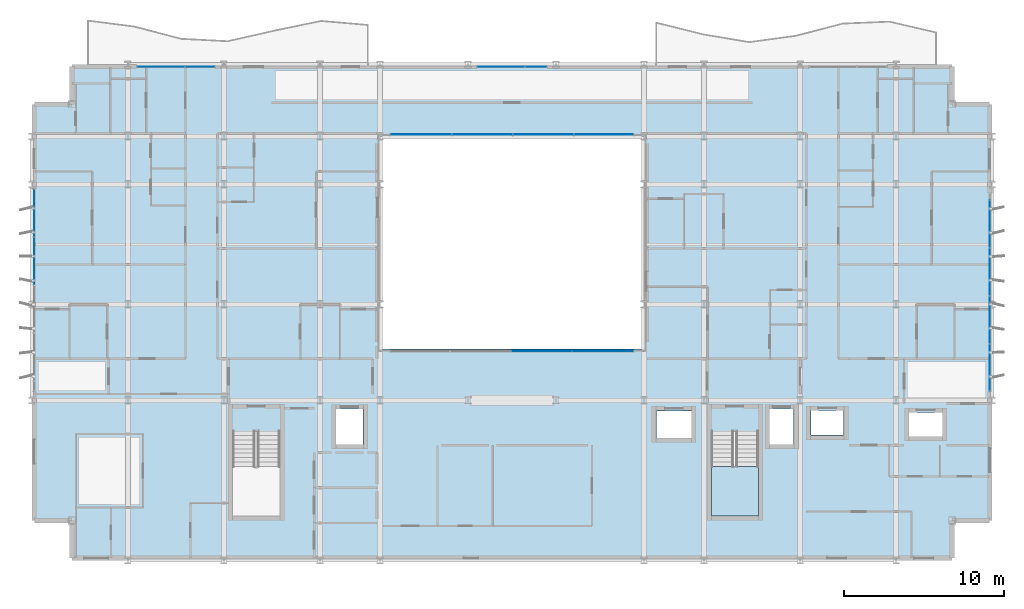
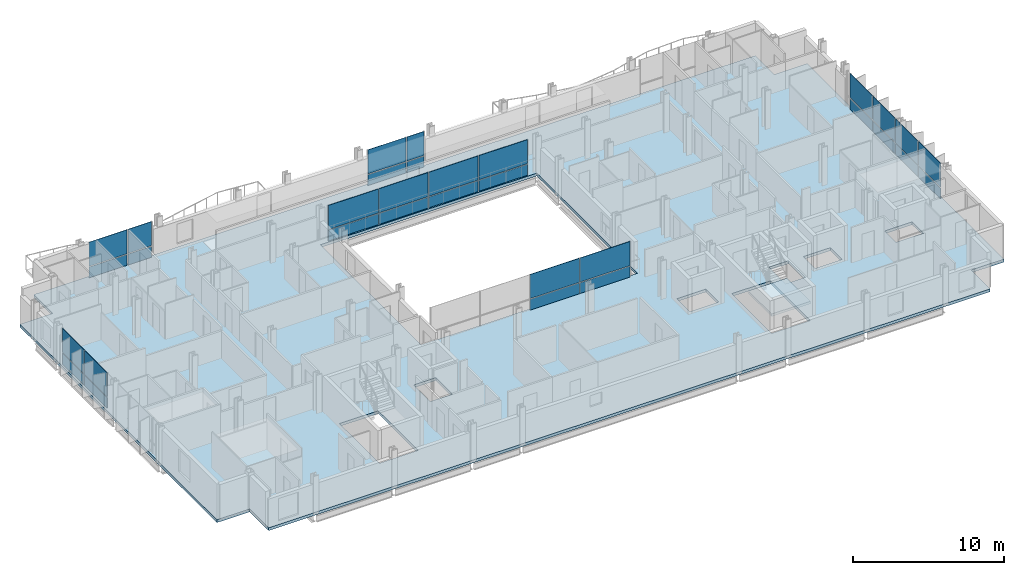
# One storey, part 23 of 38: 32 plates, 2 slabs, 7 elements without a shape of their own.
"""IFC4 building model written with IfcOpenShell, lengths in metres."""

from ifc_helpers import new_model, si_unit, direction, frame, origin, origin_2d, place, context, subcontext, project, spatial, polyline, rectangle, outline, extrude, material, layer, layer_set, type_object, element, aggregate, save


model = new_model("IFC4")

# Units and contexts
model_context = context("Model", 3, precision=1e-05, world=origin(), true_north=direction((0.0, 1.0)))
body_context = subcontext(model_context, "Body", "Model", "MODEL_VIEW")
ifc_project = project(units=[si_unit("LENGTHUNIT", "METRE"), si_unit("AREAUNIT", "SQUARE_METRE"), si_unit("VOLUMEUNIT", "CUBIC_METRE"), si_unit("PLANEANGLEUNIT", "RADIAN"), si_unit("MASSUNIT", "GRAM", prefix="KILO")], contexts=[model_context])

# Site, building, storey
site_placement = place(None, origin())
site = spatial("IfcSite", under=ifc_project, at=site_placement, CompositionType="ELEMENT")
building_placement = place(site_placement, origin())
building = spatial("IfcBuilding", under=site, at=building_placement, Name="Brevholm Reach", CompositionType="ELEMENT")
storey_placement = place(building_placement, frame((0.0, 0.0, 52.800048828125)))
storey = spatial("IfcBuildingStorey", under=building, at=storey_placement, Name="L14", CompositionType="ELEMENT", Elevation=52.800048828125)

# Curtain wall, plates
ifc_material_1 = material(Name="Dark Anodised Aluminium 6063-T6 and Solar-Control Glass", Category="aluminium")
ifc_layer_1 = layer(ifc_material_1, 0.14990234375)
ifc_layer_set_1 = layer_set([ifc_layer_1], Name="Dark Anodised Aluminium 6063-T6 and Solar-Control Glass")
curtain_wall_type_1 = type_object("IfcCurtainWallType", Name="CW-01", PredefinedType="NOTDEFINED", material=ifc_layer_set_1)
curtain_wall_1_placement = place(storey_placement, origin())
curtain_wall_1 = element("IfcCurtainWall", 1, at=curtain_wall_1_placement, inside=storey, type_object=curtain_wall_type_1, Name="L14 Curtain Wall CW-01", PredefinedType="NOTDEFINED")
ifc_material_2 = material(Name="Dark Solar-Control Double-Glazed IGU Glass", Category="glass")
ifc_layer_2 = layer(ifc_material_2, 0.028076171875)
ifc_layer_set_2 = layer_set([ifc_layer_2], Name="Dark Solar-Control Double-Glazed IGU Glass")
plate_type_1 = type_object("IfcPlateType", Name="CWP-GLZ-28", PredefinedType="CURTAIN_PANEL", material=ifc_layer_set_2)
plate_1_placement = place(storey_placement, frame((0.14990234375, 21.703857421875, 0.0), z_axis=(0.0, 0.0, 1.0), x_axis=(0.0, -1.0, 0.0)))
plate_1 = element("IfcPlate", 2, at=plate_1_placement, type_object=plate_type_1, Name="CP-01 Glazing Panel 1.1", PredefinedType="CURTAIN_PANEL", context=body_context, shape_type="SweptSolid", body=[
    extrude(rectangle(XDim=2.902587890625, YDim=0.028076171875, at=origin_2d()), origin(), (0.0, 0.0, 1.0), 0.867431640625),
])
plate_2_placement = place(storey_placement, frame((0.14990234375, 21.703857421875, 0.932373046875), z_axis=(0.0, 0.0, 1.0), x_axis=(0.0, -1.0, 0.0)))
plate_2 = element("IfcPlate", 3, at=plate_2_placement, type_object=plate_type_1, Name="CP-01 Glazing Panel 1.2", PredefinedType="CURTAIN_PANEL", context=body_context, shape_type="SweptSolid", body=[
    extrude(rectangle(XDim=2.902587890625, YDim=0.028076171875, at=origin_2d()), origin(), (0.0, 0.0, 1.0), 1.9375),
])
plate_3_placement = place(storey_placement, frame((0.14990234375, 18.719970703125, 0.0), z_axis=(0.0, 0.0, 1.0), x_axis=(0.0, -1.0, 0.0)))
plate_3 = element("IfcPlate", 4, at=plate_3_placement, type_object=plate_type_1, Name="CP-01 Glazing Panel 2.1", PredefinedType="CURTAIN_PANEL", context=body_context, shape_type="SweptSolid", body=[
    extrude(rectangle(XDim=2.93505859375, YDim=0.028076171875, at=origin_2d()), origin(), (0.0, 0.0, 1.0), 0.867431640625),
])
plate_4_placement = place(storey_placement, frame((0.14990234375, 18.719970703125, 0.932373046875), z_axis=(0.0, 0.0, 1.0), x_axis=(0.0, -1.0, 0.0)))
plate_4 = element("IfcPlate", 5, at=plate_4_placement, type_object=plate_type_1, Name="CP-01 Glazing Panel 2.2", PredefinedType="CURTAIN_PANEL", context=body_context, shape_type="SweptSolid", body=[
    extrude(rectangle(XDim=2.93505859375, YDim=0.028076171875, at=origin_2d()), origin(), (0.0, 0.0, 1.0), 1.9375),
])
aggregate(curtain_wall_1, [plate_1, plate_2, plate_3, plate_4])

curtain_wall_2_placement = place(storey_placement, origin())
curtain_wall_2 = element("IfcCurtainWall", 6, at=curtain_wall_2_placement, inside=storey, type_object=curtain_wall_type_1, Name="L14 Curtain Wall CW-01", PredefinedType="NOTDEFINED")
plate_5_placement = place(storey_placement, frame((59.85009765625, 12.066162109375, 0.0), z_axis=(0.0, 0.0, 1.0), x_axis=(0.0, 1.0, 0.0)))
plate_5 = element("IfcPlate", 7, at=plate_5_placement, type_object=plate_type_1, Name="CP-01 Glazing Panel 1.1", PredefinedType="CURTAIN_PANEL", context=body_context, shape_type="SweptSolid", body=[
    extrude(rectangle(XDim=2.902587890625, YDim=0.028076171875, at=origin_2d()), origin(), (0.0, 0.0, 1.0), 0.867431640625),
])
plate_6_placement = place(storey_placement, frame((59.85009765625, 12.066162109375, 0.932373046875), z_axis=(0.0, 0.0, 1.0), x_axis=(0.0, 1.0, 0.0)))
plate_6 = element("IfcPlate", 8, at=plate_6_placement, type_object=plate_type_1, Name="CP-01 Glazing Panel 1.2", PredefinedType="CURTAIN_PANEL", context=body_context, shape_type="SweptSolid", body=[
    extrude(rectangle(XDim=2.902587890625, YDim=0.028076171875, at=origin_2d()), origin(), (0.0, 0.0, 1.0), 1.9375),
])
plate_7_placement = place(storey_placement, frame((59.85009765625, 15.050048828125, 0.0), z_axis=(0.0, 0.0, 1.0), x_axis=(0.0, 1.0, 0.0)))
plate_7 = element("IfcPlate", 9, at=plate_7_placement, type_object=plate_type_1, Name="CP-01 Glazing Panel 2.1", PredefinedType="CURTAIN_PANEL", context=body_context, shape_type="SweptSolid", body=[
    extrude(rectangle(XDim=2.93505859375, YDim=0.028076171875, at=origin_2d()), origin(), (0.0, 0.0, 1.0), 0.867431640625),
])
plate_8_placement = place(storey_placement, frame((59.85009765625, 15.050048828125, 0.932373046875), z_axis=(0.0, 0.0, 1.0), x_axis=(0.0, 1.0, 0.0)))
plate_8 = element("IfcPlate", 10, at=plate_8_placement, type_object=plate_type_1, Name="CP-01 Glazing Panel 2.2", PredefinedType="CURTAIN_PANEL", context=body_context, shape_type="SweptSolid", body=[
    extrude(rectangle(XDim=2.93505859375, YDim=0.028076171875, at=origin_2d()), origin(), (0.0, 0.0, 1.0), 1.9375),
])
plate_9_placement = place(storey_placement, frame((59.85009765625, 18.050048828125, 0.0), z_axis=(0.0, 0.0, 1.0), x_axis=(0.0, 1.0, 0.0)))
plate_9 = element("IfcPlate", 11, at=plate_9_placement, type_object=plate_type_1, Name="CP-01 Glazing Panel 3.1", PredefinedType="CURTAIN_PANEL", context=body_context, shape_type="SweptSolid", body=[
    extrude(rectangle(XDim=2.93505859375, YDim=0.028076171875, at=origin_2d()), origin(), (0.0, 0.0, 1.0), 0.867431640625),
])
plate_10_placement = place(storey_placement, frame((59.85009765625, 18.050048828125, 0.932373046875), z_axis=(0.0, 0.0, 1.0), x_axis=(0.0, 1.0, 0.0)))
plate_10 = element("IfcPlate", 12, at=plate_10_placement, type_object=plate_type_1, Name="CP-01 Glazing Panel 3.2", PredefinedType="CURTAIN_PANEL", context=body_context, shape_type="SweptSolid", body=[
    extrude(rectangle(XDim=2.93505859375, YDim=0.028076171875, at=origin_2d()), origin(), (0.0, 0.0, 1.0), 1.9375),
])
plate_11_placement = place(storey_placement, frame((59.85009765625, 21.050048828125, 0.0), z_axis=(0.0, 0.0, 1.0), x_axis=(0.0, 1.0, 0.0)))
plate_11 = element("IfcPlate", 13, at=plate_11_placement, type_object=plate_type_1, Name="CP-01 Glazing Panel 4.1", PredefinedType="CURTAIN_PANEL", context=body_context, shape_type="SweptSolid", body=[
    extrude(rectangle(XDim=2.93505859375, YDim=0.028076171875, at=origin_2d()), origin(), (0.0, 0.0, 1.0), 0.867431640625),
])
plate_12_placement = place(storey_placement, frame((59.85009765625, 21.050048828125, 0.932373046875), z_axis=(0.0, 0.0, 1.0), x_axis=(0.0, 1.0, 0.0)))
plate_12 = element("IfcPlate", 14, at=plate_12_placement, type_object=plate_type_1, Name="CP-01 Glazing Panel 4.2", PredefinedType="CURTAIN_PANEL", context=body_context, shape_type="SweptSolid", body=[
    extrude(rectangle(XDim=2.93505859375, YDim=0.028076171875, at=origin_2d()), origin(), (0.0, 0.0, 1.0), 1.9375),
])
aggregate(curtain_wall_2, [plate_5, plate_6, plate_7, plate_8, plate_9, plate_10, plate_11, plate_12])

curtain_wall_3_placement = place(storey_placement, origin())
curtain_wall_3 = element("IfcCurtainWall", 15, at=curtain_wall_3_placement, inside=storey, type_object=curtain_wall_type_1, Name="L14 Curtain Wall CW-01", PredefinedType="NOTDEFINED")
plate_13_placement = place(storey_placement, frame((8.066162109375, 30.85009765625, 0.0), z_axis=(0.0, 0.0, 1.0), x_axis=(1.0, 0.0, 0.0)))
plate_13 = element("IfcPlate", 16, at=plate_13_placement, type_object=plate_type_1, Name="CP-01 Glazing Panel 1.1", PredefinedType="CURTAIN_PANEL", context=body_context, shape_type="SweptSolid", body=[
    extrude(rectangle(XDim=2.902587890625, YDim=0.028076171875, at=origin_2d()), origin(), (0.0, 0.0, 1.0), 0.867431640625),
])
plate_14_placement = place(storey_placement, frame((8.066162109375, 30.85009765625, 0.932373046875), z_axis=(0.0, 0.0, 1.0), x_axis=(1.0, 0.0, 0.0)))
plate_14 = element("IfcPlate", 17, at=plate_14_placement, type_object=plate_type_1, Name="CP-01 Glazing Panel 1.2", PredefinedType="CURTAIN_PANEL", context=body_context, shape_type="SweptSolid", body=[
    extrude(rectangle(XDim=2.902587890625, YDim=0.028076171875, at=origin_2d()), origin(), (0.0, 0.0, 1.0), 1.9375),
])
plate_15_placement = place(storey_placement, frame((10.483642578125, 30.85009765625, 0.0), z_axis=(0.0, 0.0, 1.0), x_axis=(1.0, 0.0, 0.0)))
plate_15 = element("IfcPlate", 18, at=plate_15_placement, type_object=plate_type_1, Name="CP-01 Glazing Panel 2.1", PredefinedType="CURTAIN_PANEL", context=body_context, shape_type="SweptSolid", body=[
    extrude(rectangle(XDim=1.802490234375, YDim=0.028076171875, at=origin_2d()), origin(), (0.0, 0.0, 1.0), 0.867431640625),
])
plate_16_placement = place(storey_placement, frame((10.483642578125, 30.85009765625, 0.932373046875), z_axis=(0.0, 0.0, 1.0), x_axis=(1.0, 0.0, 0.0)))
plate_16 = element("IfcPlate", 19, at=plate_16_placement, type_object=plate_type_1, Name="CP-01 Glazing Panel 2.2", PredefinedType="CURTAIN_PANEL", context=body_context, shape_type="SweptSolid", body=[
    extrude(rectangle(XDim=1.802490234375, YDim=0.028076171875, at=origin_2d()), origin(), (0.0, 0.0, 1.0), 1.9375),
])
aggregate(curtain_wall_3, [plate_13, plate_14, plate_15, plate_16])

curtain_wall_4_placement = place(storey_placement, origin())
curtain_wall_4 = element("IfcCurtainWall", 20, at=curtain_wall_4_placement, inside=storey, type_object=curtain_wall_type_1, Name="L14 Curtain Wall CW-01", PredefinedType="NOTDEFINED")
plate_17_placement = place(storey_placement, frame((29.316162109375, 30.85009765625, 0.0), z_axis=(0.0, 0.0, 1.0), x_axis=(1.0, 0.0, 0.0)))
plate_17 = element("IfcPlate", 21, at=plate_17_placement, type_object=plate_type_1, Name="CP-01 Glazing Panel 1.1", PredefinedType="CURTAIN_PANEL", context=body_context, shape_type="SweptSolid", body=[
    extrude(rectangle(XDim=2.902587890625, YDim=0.028076171875, at=origin_2d()), origin(), (0.0, 0.0, 1.0), 0.867431640625),
])
plate_18_placement = place(storey_placement, frame((29.316162109375, 30.85009765625, 0.932373046875), z_axis=(0.0, 0.0, 1.0), x_axis=(1.0, 0.0, 0.0)))
plate_18 = element("IfcPlate", 22, at=plate_18_placement, type_object=plate_type_1, Name="CP-01 Glazing Panel 1.2", PredefinedType="CURTAIN_PANEL", context=body_context, shape_type="SweptSolid", body=[
    extrude(rectangle(XDim=2.902587890625, YDim=0.028076171875, at=origin_2d()), origin(), (0.0, 0.0, 1.0), 1.9375),
])
plate_19_placement = place(storey_placement, frame((31.483642578125, 30.85009765625, 0.0), z_axis=(0.0, 0.0, 1.0), x_axis=(1.0, 0.0, 0.0)))
plate_19 = element("IfcPlate", 23, at=plate_19_placement, type_object=plate_type_1, Name="CP-01 Glazing Panel 2.1", PredefinedType="CURTAIN_PANEL", context=body_context, shape_type="SweptSolid", body=[
    extrude(rectangle(XDim=1.302490234375, YDim=0.028076171875, at=origin_2d()), origin(), (0.0, 0.0, 1.0), 0.867431640625),
])
plate_20_placement = place(storey_placement, frame((31.483642578125, 30.85009765625, 0.932373046875), z_axis=(0.0, 0.0, 1.0), x_axis=(1.0, 0.0, 0.0)))
plate_20 = element("IfcPlate", 24, at=plate_20_placement, type_object=plate_type_1, Name="CP-01 Glazing Panel 2.2", PredefinedType="CURTAIN_PANEL", context=body_context, shape_type="SweptSolid", body=[
    extrude(rectangle(XDim=1.302490234375, YDim=0.028076171875, at=origin_2d()), origin(), (0.0, 0.0, 1.0), 1.9375),
])
aggregate(curtain_wall_4, [plate_17, plate_18, plate_19, plate_20])

ifc_material_3 = material(Name="Dark Anodised Aluminium 6063-T6 and Solar-Control Glass", Category="aluminium")
ifc_layer_3 = layer(ifc_material_3, 0.139892578125)
ifc_layer_set_3 = layer_set([ifc_layer_3], Name="Dark Anodised Aluminium 6063-T6 and Solar-Control Glass")
curtain_wall_type_2 = type_object("IfcCurtainWallType", Name="CW-02", PredefinedType="NOTDEFINED", material=ifc_layer_set_3)
curtain_wall_5_placement = place(storey_placement, origin())
curtain_wall_5 = element("IfcCurtainWall", 25, at=curtain_wall_5_placement, inside=storey, type_object=curtain_wall_type_2, Name="L14 Curtain Wall CW-02", PredefinedType="NOTDEFINED")
ifc_material_4 = material(Name="Low-Iron Laminated Acoustic Glass", Category="glass")
ifc_layer_4 = layer(ifc_material_4, 0.035888671875)
ifc_layer_set_4 = layer_set([ifc_layer_4], Name="Low-Iron Laminated Acoustic Glass")
plate_type_2 = type_object("IfcPlateType", Name="CWP-GLZ-36", PredefinedType="CURTAIN_PANEL", material=ifc_layer_set_4)
plate_21_placement = place(storey_placement, frame((31.85009765625, 13.080078125, 0.0), z_axis=(0.0, 0.0, 1.0), x_axis=(1.0, 0.0, 0.0)))
plate_21 = element("IfcPlate", 26, at=plate_21_placement, type_object=plate_type_2, Name="CP-02 Glazing Panel 3.1", PredefinedType="CURTAIN_PANEL", context=body_context, shape_type="SweptSolid", body=[
    extrude(rectangle(XDim=3.739990234375, YDim=0.035888671875, at=origin_2d()), origin(), (0.0, 0.0, 1.0), 0.8701171875),
])
plate_22_placement = place(storey_placement, frame((31.85009765625, 13.080078125, 0.929931640625), z_axis=(0.0, 0.0, 1.0), x_axis=(1.0, 0.0, 0.0)))
plate_22 = element("IfcPlate", 27, at=plate_22_placement, type_object=plate_type_2, Name="CP-02 Glazing Panel 3.2", PredefinedType="CURTAIN_PANEL", context=body_context, shape_type="SweptSolid", body=[
    extrude(rectangle(XDim=3.739990234375, YDim=0.035888671875, at=origin_2d()), origin(), (0.0, 0.0, 1.0), 1.93994140625),
])
plate_23_placement = place(storey_placement, frame((35.68505859375, 13.080078125, 0.0), z_axis=(0.0, 0.0, 1.0), x_axis=(1.0, 0.0, 0.0)))
plate_23 = element("IfcPlate", 28, at=plate_23_placement, type_object=plate_type_2, Name="CP-02 Glazing Panel 4.1", PredefinedType="CURTAIN_PANEL", context=body_context, shape_type="SweptSolid", body=[
    extrude(rectangle(XDim=3.81005859375, YDim=0.035888671875, at=origin_2d()), origin(), (0.0, 0.0, 1.0), 0.8701171875),
])
plate_24_placement = place(storey_placement, frame((35.68505859375, 13.080078125, 0.929931640625), z_axis=(0.0, 0.0, 1.0), x_axis=(1.0, 0.0, 0.0)))
plate_24 = element("IfcPlate", 29, at=plate_24_placement, type_object=plate_type_2, Name="CP-02 Glazing Panel 4.2", PredefinedType="CURTAIN_PANEL", context=body_context, shape_type="SweptSolid", body=[
    extrude(rectangle(XDim=3.81005859375, YDim=0.035888671875, at=origin_2d()), origin(), (0.0, 0.0, 1.0), 1.93994140625),
])
aggregate(curtain_wall_5, [plate_21, plate_22, plate_23, plate_24])

curtain_wall_6_placement = place(storey_placement, origin())
curtain_wall_6 = element("IfcCurtainWall", 30, at=curtain_wall_6_placement, inside=storey, type_object=curtain_wall_type_2, Name="L14 Curtain Wall CW-02", PredefinedType="NOTDEFINED")
plate_25_placement = place(storey_placement, frame((35.735107421875, 26.6201171875, 0.0), z_axis=(0.0, 0.0, 1.0), x_axis=(-1.0, 0.0, 0.0)))
plate_25 = element("IfcPlate", 31, at=plate_25_placement, type_object=plate_type_2, Name="CP-02 Glazing Panel 1.1", PredefinedType="CURTAIN_PANEL", context=body_context, shape_type="SweptSolid", body=[
    extrude(rectangle(XDim=3.7099609375, YDim=0.035888671875, at=origin_2d()), origin(), (0.0, 0.0, 1.0), 0.8701171875),
])
plate_26_placement = place(storey_placement, frame((35.735107421875, 26.6201171875, 0.929931640625), z_axis=(0.0, 0.0, 1.0), x_axis=(-1.0, 0.0, 0.0)))
plate_26 = element("IfcPlate", 32, at=plate_26_placement, type_object=plate_type_2, Name="CP-02 Glazing Panel 1.2", PredefinedType="CURTAIN_PANEL", context=body_context, shape_type="SweptSolid", body=[
    extrude(rectangle(XDim=3.7099609375, YDim=0.035888671875, at=origin_2d()), origin(), (0.0, 0.0, 1.0), 1.93994140625),
])
plate_27_placement = place(storey_placement, frame((31.949951171875, 26.6201171875, 0.0), z_axis=(0.0, 0.0, 1.0), x_axis=(-1.0, 0.0, 0.0)))
plate_27 = element("IfcPlate", 33, at=plate_27_placement, type_object=plate_type_2, Name="CP-02 Glazing Panel 2.1", PredefinedType="CURTAIN_PANEL", context=body_context, shape_type="SweptSolid", body=[
    extrude(rectangle(XDim=3.739990234375, YDim=0.035888671875, at=origin_2d()), origin(), (0.0, 0.0, 1.0), 0.8701171875),
])
plate_28_placement = place(storey_placement, frame((31.949951171875, 26.6201171875, 0.929931640625), z_axis=(0.0, 0.0, 1.0), x_axis=(-1.0, 0.0, 0.0)))
plate_28 = element("IfcPlate", 34, at=plate_28_placement, type_object=plate_type_2, Name="CP-02 Glazing Panel 2.2", PredefinedType="CURTAIN_PANEL", context=body_context, shape_type="SweptSolid", body=[
    extrude(rectangle(XDim=3.739990234375, YDim=0.035888671875, at=origin_2d()), origin(), (0.0, 0.0, 1.0), 1.93994140625),
])
plate_29_placement = place(storey_placement, frame((28.14990234375, 26.6201171875, 0.0), z_axis=(0.0, 0.0, 1.0), x_axis=(-1.0, 0.0, 0.0)))
plate_29 = element("IfcPlate", 35, at=plate_29_placement, type_object=plate_type_2, Name="CP-02 Glazing Panel 3.1", PredefinedType="CURTAIN_PANEL", context=body_context, shape_type="SweptSolid", body=[
    extrude(rectangle(XDim=3.739990234375, YDim=0.035888671875, at=origin_2d()), origin(), (0.0, 0.0, 1.0), 0.8701171875),
])
plate_30_placement = place(storey_placement, frame((28.14990234375, 26.6201171875, 0.929931640625), z_axis=(0.0, 0.0, 1.0), x_axis=(-1.0, 0.0, 0.0)))
plate_30 = element("IfcPlate", 36, at=plate_30_placement, type_object=plate_type_2, Name="CP-02 Glazing Panel 3.2", PredefinedType="CURTAIN_PANEL", context=body_context, shape_type="SweptSolid", body=[
    extrude(rectangle(XDim=3.739990234375, YDim=0.035888671875, at=origin_2d()), origin(), (0.0, 0.0, 1.0), 1.93994140625),
])
plate_31_placement = place(storey_placement, frame((24.31494140625, 26.6201171875, 0.0), z_axis=(0.0, 0.0, 1.0), x_axis=(-1.0, 0.0, 0.0)))
plate_31 = element("IfcPlate", 37, at=plate_31_placement, type_object=plate_type_2, Name="CP-02 Glazing Panel 4.1", PredefinedType="CURTAIN_PANEL", context=body_context, shape_type="SweptSolid", body=[
    extrude(rectangle(XDim=3.81005859375, YDim=0.035888671875, at=origin_2d()), origin(), (0.0, 0.0, 1.0), 0.8701171875),
])
plate_32_placement = place(storey_placement, frame((24.31494140625, 26.6201171875, 0.929931640625), z_axis=(0.0, 0.0, 1.0), x_axis=(-1.0, 0.0, 0.0)))
plate_32 = element("IfcPlate", 38, at=plate_32_placement, type_object=plate_type_2, Name="CP-02 Glazing Panel 4.2", PredefinedType="CURTAIN_PANEL", context=body_context, shape_type="SweptSolid", body=[
    extrude(rectangle(XDim=3.81005859375, YDim=0.035888671875, at=origin_2d()), origin(), (0.0, 0.0, 1.0), 1.93994140625),
])
aggregate(curtain_wall_6, [plate_25, plate_26, plate_27, plate_28, plate_29, plate_30, plate_31, plate_32])

# Slab
ifc_material_5 = material(Name="Concrete C40/50", Category="concrete")
ifc_layer_5 = layer(ifc_material_5, 0.22998046875)
ifc_layer_set_5 = layer_set([ifc_layer_5], Name="Concrete C40/50")
slab_type_1 = type_object("IfcSlabType", Name="SLB-FL-230", PredefinedType="FLOOR", material=ifc_layer_set_5)
slab_1_placement = place(storey_placement, frame((0.0, 0.0, -0.22998046875)))
element("IfcSlab", 39, at=slab_1_placement, inside=storey, type_object=slab_type_1, Name="L14 Suspended Floor Slab (main)", PredefinedType="FLOOR", context=body_context, shape_type="SweptSolid", body=[
    extrude(outline(polyline([(2.5, 0.0), (57.5, 0.0), (57.5, 2.5), (60.0, 2.5), (60.0, 28.5), (57.5, 28.5), (57.5, 31.0), (2.5, 31.0), (2.5, 28.5), (0.0, 28.5), (0.0, 2.5), (2.5, 2.5), (2.5, 0.0)]), holes=[polyline([(21.75, 13.199951171875), (38.25, 13.199951171875), (38.25, 26.5), (21.75, 26.5), (21.75, 13.199951171875)]), polyline([(12.550048828125, 2.780029296875), (15.5, 2.780029296875), (15.5, 8.044921875), (12.550048828125, 8.044921875), (12.550048828125, 2.780029296875)]), polyline([(42.449951171875, 2.780029296875), (45.39990234375, 2.780029296875), (45.39990234375, 8.044921875), (42.449951171875, 8.044921875), (42.449951171875, 2.780029296875)]), polyline([(19.0, 7.25), (20.699951171875, 7.25), (20.699951171875, 9.449951171875), (19.0, 9.449951171875), (19.0, 7.25)]), polyline([(46.10009765625, 7.25), (47.60009765625, 7.25), (47.60009765625, 9.449951171875), (46.10009765625, 9.449951171875), (46.10009765625, 7.25)]), polyline([(48.675048828125, 7.824951171875), (50.72509765625, 7.824951171875), (50.72509765625, 9.375), (48.675048828125, 9.375), (48.675048828125, 7.824951171875)]), polyline([(54.800048828125, 7.75), (56.89990234375, 7.75), (56.89990234375, 9.25), (54.800048828125, 9.25), (54.800048828125, 7.75)]), polyline([(39.02001953125, 7.64990234375), (41.219970703125, 7.64990234375), (41.219970703125, 9.35009765625), (39.02001953125, 9.35009765625), (39.02001953125, 7.64990234375)])]), origin(), (0.0, 0.0, 1.0), 0.22998046875),
])

# Stair, slab
ifc_material_6 = material(Name="Precast Concrete C40/50", Category="concrete")
stair_type = type_object("IfcStairType", Name="STR-ESC-1400", PredefinedType="DOUBLE_RETURN_STAIR", material=ifc_material_6)
stair_placement = place(storey_placement, origin())
stair = element("IfcStair", 40, at=stair_placement, inside=storey, type_object=stair_type, Name="L14 ST-2", PredefinedType="DOUBLE_RETURN_STAIR")
ifc_material_7 = material(Name="Concrete C40/50", Category="concrete")
ifc_layer_6 = layer(ifc_material_7, 0.199951171875)
ifc_layer_set_6 = layer_set([ifc_layer_6], Name="Concrete C40/50")
slab_type_2 = type_object("IfcSlabType", Name="SLB-LND-200", PredefinedType="LANDING", material=ifc_layer_set_6)
slab_2_placement = place(storey_placement, frame((0.0, 0.0, 1.349853515625)))
slab_2 = element("IfcSlab", 41, at=slab_2_placement, type_object=slab_type_2, Name="ST-2 landing 1", PredefinedType="LANDING", context=body_context, shape_type="SweptSolid", body=[
    extrude(outline(polyline([(42.449951171875, 5.860107421875), (42.449951171875, 2.780029296875), (45.39990234375, 2.780029296875), (45.39990234375, 5.860107421875), (42.449951171875, 5.860107421875)])), origin(), (0.0, 0.0, 1.0), 0.2001953125),
])
aggregate(stair, [slab_2])

save(model, "model.ifc")
